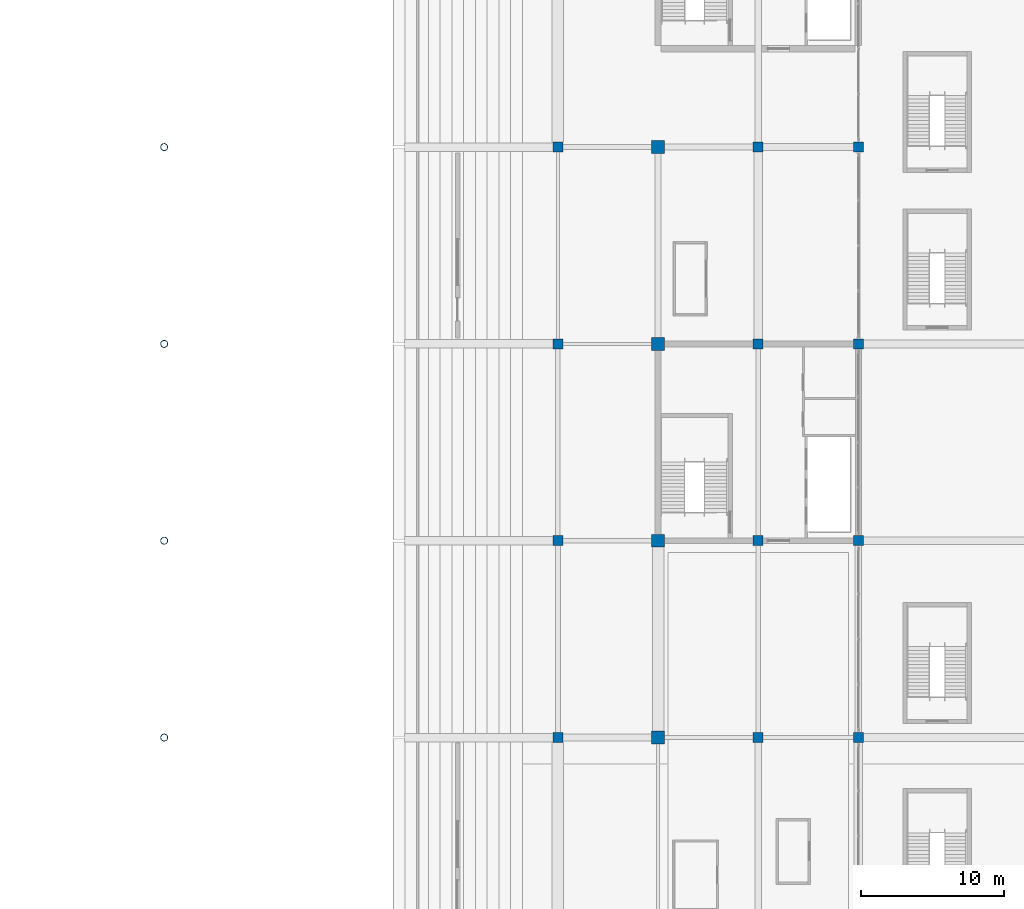
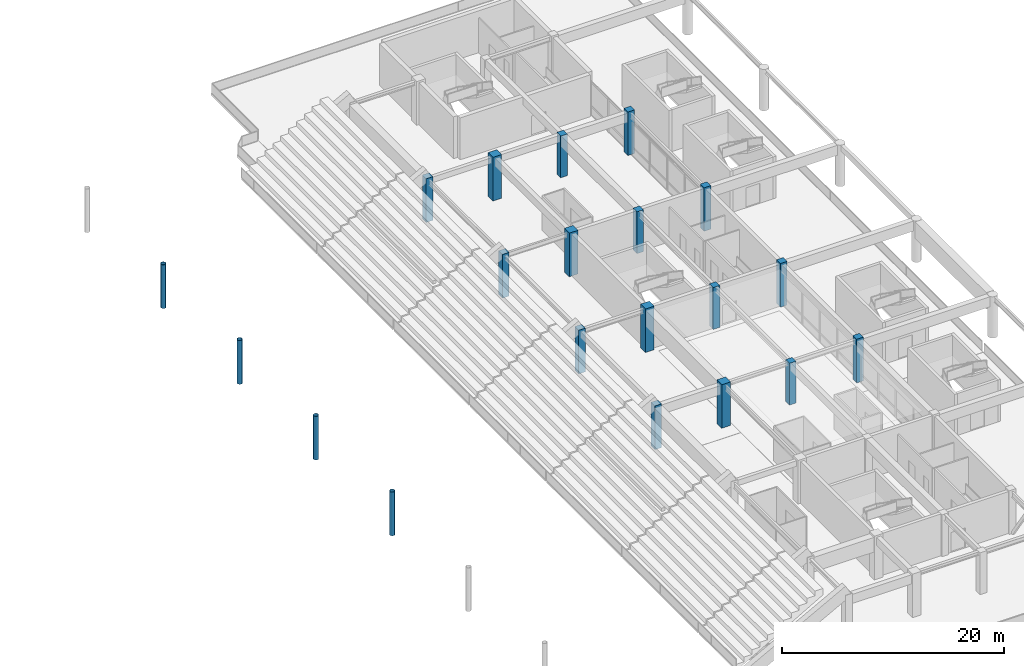
# One storey, part 7 of 94: 20 columns.
"""IFC4 building model written with IfcOpenShell, lengths in metres."""

from ifc_helpers import new_model, si_unit, direction, frame, origin, origin_2d, place, context, subcontext, project, spatial, rectangle, hollow_circle, extrude, material, material_profile, profile_set, type_object, element, save


model = new_model("IFC4")

# Units and contexts
model_context = context("Model", 3, precision=1e-05, world=origin(), true_north=direction((0.0, 1.0)))
body_context = subcontext(model_context, "Body", "Model", "MODEL_VIEW")
ifc_project = project(units=[si_unit("LENGTHUNIT", "METRE"), si_unit("AREAUNIT", "SQUARE_METRE"), si_unit("VOLUMEUNIT", "CUBIC_METRE"), si_unit("PLANEANGLEUNIT", "RADIAN"), si_unit("MASSUNIT", "GRAM", prefix="KILO")], contexts=[model_context])

# Site, building, storey
site_placement = place(None, origin())
site = spatial("IfcSite", under=ifc_project, at=site_placement, CompositionType="ELEMENT")
building_placement = place(site_placement, origin())
building = spatial("IfcBuilding", under=site, at=building_placement, Name="Linyun Crest Stadium", CompositionType="ELEMENT")
storey_placement = place(building_placement, frame((0.0, 0.0, 16.199951171875)))
storey = spatial("IfcBuildingStorey", under=building, at=storey_placement, Name="L04", CompositionType="ELEMENT", Elevation=16.199951171875)

# Columns
ifc_material_1 = material(Name="Concrete C50", Category="concrete")
ifc_material_profile_1 = material_profile(ifc_material_1, rectangle(XDim=0.699951171875, YDim=0.699951171875, at=origin_2d()), Name="RC 700x700")
ifc_profile_set_1 = profile_set([ifc_material_profile_1], Name="Concrete C50")
column_type_1 = type_object("IfcColumnType", Name="C02", PredefinedType="COLUMN", material=ifc_profile_set_1)
for number, where, z_axis, x_axis, name in (
    (1, (63.0, -11.625, 0.0), (0.0, 0.0, 1.0), (1.0, 0.0, 0.0), "Column C02 L04 372"),
    (2, (63.0, 2.125, 0.0), (0.0, 0.0, 1.0), (1.0, 0.0, 0.0), "Column C02 L04 377"),
    (3, (63.0, 15.875, 0.0), (0.0, 0.0, 1.0), (1.0, 0.0, 0.0), "Column C02 L04 382"),
    (4, (63.0, 29.625, 0.0), (0.0, 0.0, 1.0), (1.0, 0.0, 0.0), "Column C02 L04 387"),
):
    element("IfcColumn", number, at=place(storey_placement, frame(where, z_axis=z_axis, x_axis=x_axis)), inside=storey, type_object=column_type_1, Name=name, PredefinedType="COLUMN", context=body_context, shape_type="SweptSolid", body=[
        extrude(rectangle(XDim=0.699951171875, YDim=0.699951171875, at=origin_2d()), origin(), (0.0, 0.0, 1.0), 4.800048828125),
    ])
for number, where, z_axis, x_axis, name in (
    (5, (77.0, -11.625, 0.0), (0.0, 0.0, 1.0), (1.0, 0.0, 0.0), "Column C02 L04 460"),
    (6, (77.0, 2.125, 0.0), (0.0, 0.0, 1.0), (1.0, 0.0, 0.0), "Column C02 L04 465"),
    (7, (77.0, 15.875, 0.0), (0.0, 0.0, 1.0), (1.0, 0.0, 0.0), "Column C02 L04 470"),
    (8, (77.0, 29.625, 0.0), (0.0, 0.0, 1.0), (1.0, 0.0, 0.0), "Column C02 L04 475"),
):
    element("IfcColumn", number, at=place(storey_placement, frame(where, z_axis=z_axis, x_axis=x_axis)), inside=storey, type_object=column_type_1, Name=name, PredefinedType="COLUMN", context=body_context, shape_type="SweptSolid", body=[
        extrude(rectangle(XDim=0.699951171875, YDim=0.699951171875, at=origin_2d()), origin(), (0.0, 0.0, 1.0), 4.60009765625),
    ])
for number, where, z_axis, x_axis, name in (
    (9, (84.0, -11.625, 0.0), (0.0, 0.0, 1.0), (1.0, 0.0, 0.0), "Column C02 L04 503"),
    (10, (84.0, 2.125, 0.0), (0.0, 0.0, 1.0), (1.0, 0.0, 0.0), "Column C02 L04 509"),
    (11, (84.0, 15.875, 0.0), (0.0, 0.0, 1.0), (1.0, 0.0, 0.0), "Column C02 L04 515"),
    (12, (84.0, 29.625, 0.0), (0.0, 0.0, 1.0), (1.0, 0.0, 0.0), "Column C02 L04 521"),
):
    element("IfcColumn", number, at=place(storey_placement, frame(where, z_axis=z_axis, x_axis=x_axis)), inside=storey, type_object=column_type_1, Name=name, PredefinedType="COLUMN", context=body_context, shape_type="SweptSolid", body=[
        extrude(rectangle(XDim=0.699951171875, YDim=0.699951171875, at=origin_2d()), origin(), (0.0, 0.0, 1.0), 4.798095703125),
    ])
ifc_material_2 = material(Name="Concrete C50", Category="concrete")
ifc_material_profile_2 = material_profile(ifc_material_2, rectangle(XDim=0.89990234375, YDim=0.89990234375, at=origin_2d()), Name="RC 900x900")
ifc_profile_set_2 = profile_set([ifc_material_profile_2], Name="Concrete C50")
column_type_2 = type_object("IfcColumnType", Name="C04", PredefinedType="COLUMN", material=ifc_profile_set_2)
for number, where, z_axis, x_axis, name in (
    (13, (70.0, -11.625, 0.0), (0.0, 0.0, 1.0), (1.0, 0.0, 0.0), "Column C04 L04 415"),
    (14, (70.0, 2.125, 0.0), (0.0, 0.0, 1.0), (1.0, 0.0, 0.0), "Column C04 L04 421"),
    (15, (70.0, 15.875, 0.0), (0.0, 0.0, 1.0), (1.0, 0.0, 0.0), "Column C04 L04 427"),
    (16, (70.0, 29.625, 0.0), (0.0, 0.0, 1.0), (1.0, 0.0, 0.0), "Column C04 L04 433"),
):
    element("IfcColumn", number, at=place(storey_placement, frame(where, z_axis=z_axis, x_axis=x_axis)), inside=storey, type_object=column_type_2, Name=name, PredefinedType="COLUMN", context=body_context, shape_type="SweptSolid", body=[
        extrude(rectangle(XDim=0.89990234375, YDim=0.89990234375, at=origin_2d()), origin(), (0.0, 0.0, 1.0), 4.798095703125),
    ])
ifc_material_3 = material(Name="Steel Q355C", Category="steel")
ifc_material_profile_3 = material_profile(ifc_material_3, hollow_circle(Radius=0.25390625, WallThickness=0.02490234375, at=origin_2d()), Name="CHS 508x25")
ifc_profile_set_3 = profile_set([ifc_material_profile_3], Name="Steel Q355C")
column_type_3 = type_object("IfcColumnType", Name="SC05", PredefinedType="COLUMN", material=ifc_profile_set_3)
for number, where, z_axis, x_axis, name in (
    (17, (35.5, -11.625, 0.0), (0.0, 0.0, 1.0), (1.0, 0.0, 0.0), "Arch colonnade column SC05 L04 24"),
    (18, (35.5, 2.125, 0.0), (0.0, 0.0, 1.0), (1.0, 0.0, 0.0), "Arch colonnade column SC05 L04 26"),
    (19, (35.5, 15.875, 0.0), (0.0, 0.0, 1.0), (1.0, 0.0, 0.0), "Arch colonnade column SC05 L04 28"),
    (20, (35.5, 29.625, 0.0), (0.0, 0.0, 1.0), (1.0, 0.0, 0.0), "Arch colonnade column SC05 L04 30"),
):
    element("IfcColumn", number, at=place(storey_placement, frame(where, z_axis=z_axis, x_axis=x_axis)), inside=storey, type_object=column_type_3, Name=name, PredefinedType="COLUMN", context=body_context, shape_type="SweptSolid", body=[
        extrude(hollow_circle(Radius=0.25390625, WallThickness=0.02490234375, at=origin_2d()), origin(), (0.0, 0.0, 1.0), 4.800048828125),
    ])

save(model, "model.ifc")
